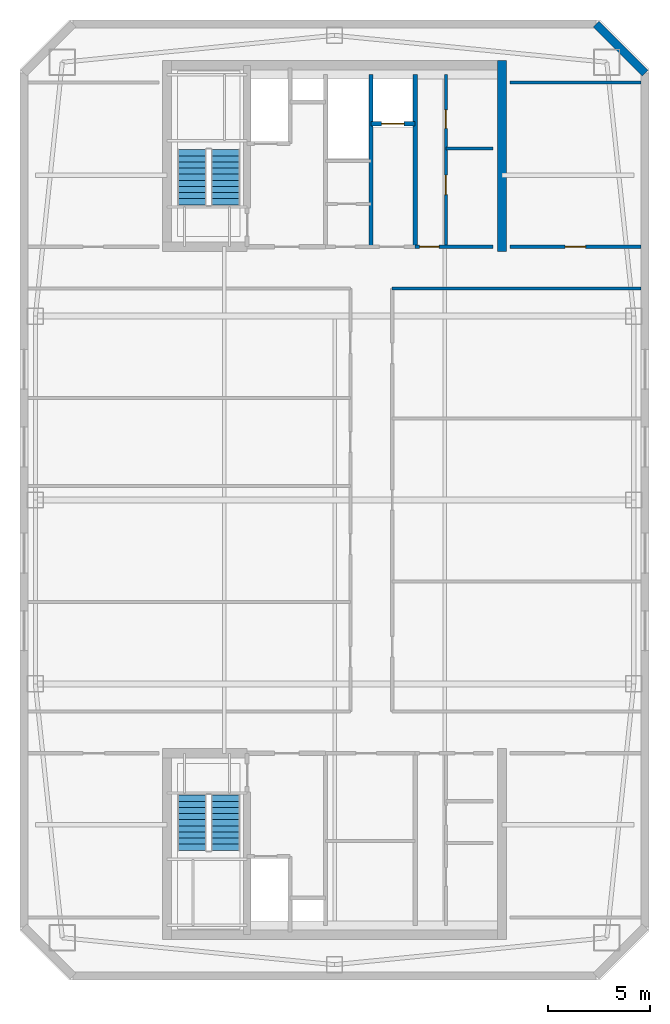
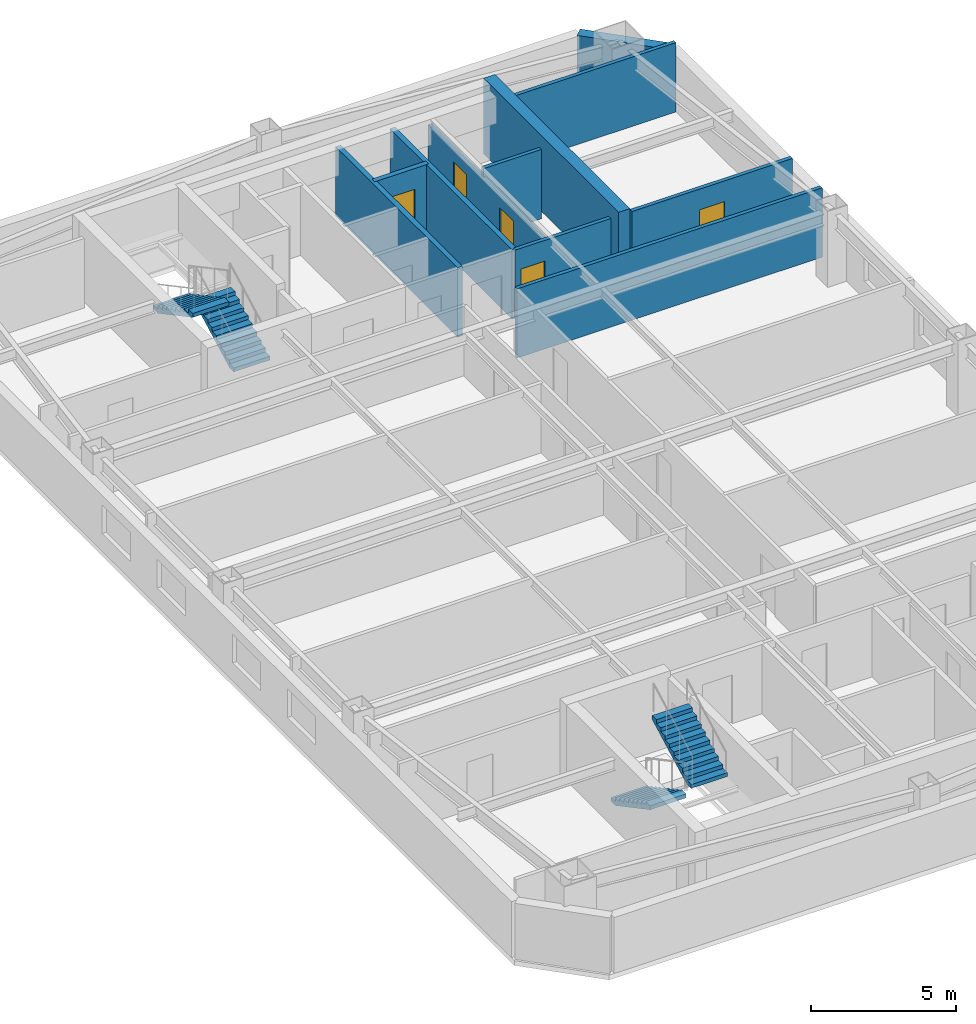
# One storey, part 4 of 5: 11 walls, 5 doors, 4 stair flights, 5 openings, 2 elements without a shape of their own.
"""IFC4 building model written with IfcOpenShell, lengths in metres."""

import ifcopenshell
import ifcopenshell.guid

model = None  # the IFC model being written
_history = None  # IfcOwnerHistory: only IFC2X3 demands one
_inside = {}  # id of a spatial element -> (the spatial element, [elements in it])
_under = {}  # id of a project, library or spatial element -> (it, [spatial elements below it])
_declared = {}  # id of a project -> (the project, [libraries it declares])
_typed = {}  # id of a type object -> (the type object, [elements of that type])
_made_of = {}  # id of a material, layer set ... -> (it, [elements and type objects made of it])


def new_model(schema):
    """Start an empty IFC model of exactly this schema.

    Asked for "IFC4X3", IfcOpenShell would pick the latest addendum, in which some entities
    have other attributes; the version numbers below select the first issue.
    IFC2X3 requires an IfcOwnerHistory on every rooted entity: one is made here for all.
    """
    global model, _history
    if schema == "IFC4X3":
        model = ifcopenshell.file(schema_version=(4, 3, 0, 0))
    else:
        model = ifcopenshell.file(schema=schema)
    _inside.clear()
    _under.clear()
    _declared.clear()
    _typed.clear()
    _made_of.clear()
    _history = None
    if model.schema == "IFC2X3":
        org = make("IfcOrganization", Name="unknown")
        user = make(
            "IfcPersonAndOrganization",
            ThePerson=make("IfcPerson", FamilyName="unknown"),
            TheOrganization=org,
        )
        app = make(
            "IfcApplication",
            ApplicationDeveloper=org,
            Version="unknown",
            ApplicationFullName="unknown",
            ApplicationIdentifier="unknown",
        )
        _history = make(
            "IfcOwnerHistory",
            OwningUser=user,
            OwningApplication=app,
            ChangeAction="ADDED",
            CreationDate=0,
        )
    return model


def make(cls, **values):
    """One entity of the class cls with the attributes given. An attribute that is None is left unset."""
    return model.create_entity(
        cls, **{name: value for name, value in values.items() if value is not None}
    )


def rooted(cls, **values):
    """An entity with a GlobalId (a new one), such as an element, a storey or a relation."""
    return make(cls, GlobalId=ifcopenshell.guid.new(), OwnerHistory=_history, **values)


def si_unit(unit_type, name, prefix=None):
    """IfcSIUnit, for example si_unit("LENGTHUNIT", "METRE", prefix="MILLI")."""
    return make("IfcSIUnit", UnitType=unit_type, Prefix=prefix, Name=name)


def assignment(units):
    """IfcUnitAssignment: the units of a project."""
    return None if units is None else make("IfcUnitAssignment", Units=units)


def point(xyz):
    """IfcCartesianPoint."""
    return None if xyz is None else make("IfcCartesianPoint", Coordinates=xyz)


def direction(xyz):
    """IfcDirection."""
    return None if xyz is None else make("IfcDirection", DirectionRatios=xyz)


def frame(location, z_axis=None, x_axis=None):
    """IfcAxis2Placement3D, a coordinate frame: its origin and axes. An axis left out is left unset."""
    return make(
        "IfcAxis2Placement3D",
        Location=point(location),
        Axis=direction(z_axis),
        RefDirection=direction(x_axis),
    )


def frame_2d(location, x_axis=None):
    """IfcAxis2Placement2D, a coordinate frame in the plane: its origin and x axis."""
    return make(
        "IfcAxis2Placement2D", Location=point(location), RefDirection=direction(x_axis)
    )


def origin():
    """The frame at (0, 0, 0) with its axes left unset."""
    return frame((0.0, 0.0, 0.0))


def place(relative_to, where):
    """IfcLocalPlacement: puts the frame where relative to a parent placement (None: the world)."""
    return make(
        "IfcLocalPlacement", PlacementRelTo=relative_to, RelativePlacement=where
    )


def context(
    kind, dimensions, precision=None, world=None, true_north=None, identifier=None
):
    """IfcGeometricRepresentationContext, for example the 3D "Model" context."""
    return make(
        "IfcGeometricRepresentationContext",
        ContextIdentifier=identifier,
        ContextType=kind,
        CoordinateSpaceDimension=dimensions,
        Precision=precision,
        WorldCoordinateSystem=world,
        TrueNorth=true_north,
    )


def subcontext(parent, identifier, kind, view, scale=None):
    """IfcGeometricRepresentationSubContext, for example "Body" below "Model"."""
    return make(
        "IfcGeometricRepresentationSubContext",
        ContextIdentifier=identifier,
        ContextType=kind,
        ParentContext=parent,
        TargetScale=scale,
        TargetView=view,
    )


def project(units=None, contexts=None):
    """IfcProject with its units and contexts."""
    return rooted(
        "IfcProject",
        Name="project",
        RepresentationContexts=contexts,
        UnitsInContext=assignment(units),
    )


def spatial(cls, under=None, at=None, **own):
    """A site, building, storey or space (cls), placed at a placement, below another one or the project."""
    s = rooted(cls, ObjectPlacement=at, **own)
    if under is not None:
        _under.setdefault(under.id(), (under, []))[1].append(s)
    return s


def polyline(points):
    """IfcPolyline through the points."""
    return make("IfcPolyline", Points=[point(p) for p in points])


def profile(cls, at=None, kind="AREA", **sizes):
    """A parametric profile (cls). Its sizes go by their IFC names, for example OverallWidth=200.0."""
    return make(cls, ProfileType=kind, Position=at, **sizes)


def rectangle(**sizes):
    """IfcRectangleProfileDef."""
    return profile("IfcRectangleProfileDef", **sizes)


def outline(outer, holes=None, kind="AREA"):
    """IfcArbitraryClosedProfileDef: a profile drawn as a closed curve; with holes, ...WithVoids."""
    if holes is None:
        return make("IfcArbitraryClosedProfileDef", ProfileType=kind, OuterCurve=outer)
    return make(
        "IfcArbitraryProfileDefWithVoids",
        ProfileType=kind,
        OuterCurve=outer,
        InnerCurves=holes,
    )


def extrude(swept, where, along, depth):
    """IfcExtrudedAreaSolid: the profile swept, set in the frame where, extruded along a direction by depth."""
    return make(
        "IfcExtrudedAreaSolid",
        SweptArea=swept,
        Position=where,
        ExtrudedDirection=direction(along),
        Depth=depth,
    )


def shape(context_of_items, identifier, shape_type, items):
    """IfcShapeRepresentation: the items that make up one representation, for example the "Body"."""
    return make(
        "IfcShapeRepresentation",
        ContextOfItems=context_of_items,
        RepresentationIdentifier=identifier,
        RepresentationType=shape_type,
        Items=items,
    )


def material(Name=None, Category=None):
    """IfcMaterial."""
    return make("IfcMaterial", Name=Name, Category=Category)


def layer(
    of_material, thickness, ventilated=None, Name=None, Category=None, Priority=None
):
    """IfcMaterialLayer: one layer of a wall or slab, of a material (None: an air gap)."""
    return make(
        "IfcMaterialLayer",
        Material=of_material,
        LayerThickness=thickness,
        IsVentilated=ventilated,
        Name=Name,
        Category=Category,
        Priority=Priority,
    )


def layer_set(layers, Name=None):
    """IfcMaterialLayerSet."""
    return make("IfcMaterialLayerSet", MaterialLayers=layers, LayerSetName=Name)


def made_of(thing, what):
    """Note that an element or type object is made of a material, layer set ...; save() writes the relation."""
    if what is not None:
        _made_of.setdefault(what.id(), (what, []))[1].append(thing)
    return thing


def type_object(cls, material=None, **own):
    """A type object (cls), such as IfcWallType, which elements share."""
    return made_of(rooted(cls, **own), material)


def element(
    cls,
    number,
    at=None,
    inside=None,
    cuts=None,
    type_object=None,
    material=None,
    context=None,
    identifier="Body",
    shape_type=None,
    held_by="IfcProductDefinitionShape",
    body=None,
    shapes=None,
    **own,
):
    """One element of the class cls, such as IfcWall. Its Tag is "e" and its number.

    at: its placement. inside: the storey or other place that contains it. cuts: it is an
    opening in that element (IfcRelVoidsElement). A single representation is given by context,
    identifier, shape_type and body (its items); several are given by shapes. held_by: the class
    of the entity that holds the representations. save() writes the other relations.
    """
    e = rooted(cls, Tag="e%d" % number, ObjectPlacement=at, **own)
    if body is not None:
        shapes = [shape(context, identifier, shape_type, body)]
    if shapes is not None:
        e.Representation = make(held_by, Representations=shapes)
    if inside is not None:
        _inside.setdefault(inside.id(), (inside, []))[1].append(e)
    if cuts is not None:
        rooted(
            "IfcRelVoidsElement", RelatingBuildingElement=cuts, RelatedOpeningElement=e
        )
    if type_object is not None:
        _typed.setdefault(type_object.id(), (type_object, []))[1].append(e)
    return made_of(e, material)


def fill(opening, filler):
    """IfcRelFillsElement: the door or window that sits in an opening."""
    return rooted(
        "IfcRelFillsElement",
        RelatingOpeningElement=opening,
        RelatedBuildingElement=filler,
    )


def aggregate(whole, parts):
    """IfcRelAggregates: a whole, such as a stair, and the parts it consists of."""
    return rooted("IfcRelAggregates", RelatingObject=whole, RelatedObjects=parts)


def save(model, path):
    """Write the relations noted so far, then the file.

    IfcRelAggregates (storeys below a building ...), IfcRelContainedInSpatialStructure (elements
    in a storey), IfcRelDefinesByType, IfcRelAssociatesMaterial and IfcRelDeclares: one each for
    every whole, place, type object, material and project.
    """
    for whole, parts in _under.values():
        aggregate(whole, parts)
    for where, things in _inside.values():
        rooted(
            "IfcRelContainedInSpatialStructure",
            RelatedElements=things,
            RelatingStructure=where,
        )
    for kind, things in _typed.values():
        rooted("IfcRelDefinesByType", RelatedObjects=things, RelatingType=kind)
    for what, things in _made_of.values():
        rooted("IfcRelAssociatesMaterial", RelatedObjects=things, RelatingMaterial=what)
    for by, libraries in _declared.values():
        rooted("IfcRelDeclares", RelatingContext=by, RelatedDefinitions=libraries)
    model.write(path)


model = new_model("IFC4")

# Units and contexts
model_context = context("Model", 3, precision=1e-05, world=origin(), true_north=direction((0.0, 1.0)))
body_context = subcontext(model_context, "Body", "Model", "MODEL_VIEW")
ifc_project = project(units=[si_unit("LENGTHUNIT", "METRE"), si_unit("AREAUNIT", "SQUARE_METRE"), si_unit("VOLUMEUNIT", "CUBIC_METRE"), si_unit("PLANEANGLEUNIT", "RADIAN"), si_unit("MASSUNIT", "GRAM", prefix="KILO")], contexts=[model_context])

# Site, building, storey
site_placement = place(None, origin())
site = spatial("IfcSite", under=ifc_project, at=site_placement, CompositionType="ELEMENT")
building_placement = place(site_placement, origin())
building = spatial("IfcBuilding", under=site, at=building_placement, Name="Qiaolan Cultural Towers", CompositionType="ELEMENT")
storey_placement = place(building_placement, frame((0.0, 0.0, 253.60009765625)))
storey = spatial("IfcBuildingStorey", under=building, at=storey_placement, Name="L69", CompositionType="ELEMENT", Elevation=253.60009765625)

# Walls
ifc_material_1 = material(Name="Concrete C50", Category="concrete")
ifc_layer_1 = layer(ifc_material_1, 0.449951171875)
ifc_layer_set_1 = layer_set([ifc_layer_1], Name="Concrete C50")
wall_type_1 = type_object("IfcWallType", Name="WL-CORE-450", PredefinedType="SHEAR", material=ifc_layer_set_1)
wall_1_placement = place(storey_placement, frame((38.199951171875, 46.175048828125, 0.0), z_axis=(0.0, 0.0, 1.0), x_axis=(0.0, 1.0, 0.0)))
element("IfcWall", 1, at=wall_1_placement, inside=storey, type_object=wall_type_1, Name="L69 T1-CN East Core Shear Wall", PredefinedType="SHEAR", context=body_context, shape_type="SweptSolid", body=[
    extrude(rectangle(XDim=9.329833984375, YDim=0.449951171875, at=frame_2d((4.6650390625, 0.0))), origin(), (0.0, 0.0, 1.0), 3.199951171875),
])
ifc_material_2 = material(Name="Precast Concrete C50 Honed Stone Pier", Category="masonry")
ifc_layer_2 = layer(ifc_material_2, 0.39990234375)
ifc_layer_set_2 = layer_set([ifc_layer_2], Name="Precast Concrete C50 Honed Stone Pier")
wall_type_2 = type_object("IfcWallType", Name="WL-EXT-PIER-400", PredefinedType="SOLIDWALL", material=ifc_layer_set_2)
wall_2_placement = place(storey_placement, frame((42.800048828125, 57.300048828125, 0.0), z_axis=(0.0, 0.0, 1.0), x_axis=(0.707070815327, -0.707142745217, 0.0)))
element("IfcWall", 2, at=wall_2_placement, inside=storey, type_object=wall_type_2, Name="L69 West Tower Precast Pier Facade Wall F4", PredefinedType="SOLIDWALL", context=body_context, shape_type="SweptSolid", body=[
    extrude(rectangle(XDim=3.39404296875, YDim=0.39990234375, at=frame_2d((1.697021484375, 0.0))), origin(), (0.0, 0.0, 1.0), 2.35986328125),
])
ifc_material_3 = material(Name="Concrete C35 Fire Wall", Category="concrete")
ifc_layer_3 = layer(ifc_material_3, 0.199951171875)
ifc_layer_set_3 = layer_set([ifc_layer_3], Name="Concrete C35 Fire Wall")
wall_type_3 = type_object("IfcWallType", Name="WL-FIRE-200", PredefinedType="PARTITIONING", material=ifc_layer_set_3)
for number, where, z_axis, x_axis, name in (
    (3, (33.949951171875, 46.39990234375, 0.0), (0.0, 0.0, 1.0), (0.0, 1.0, 0.0), "L69 T1-CN Lift Core East Wall"),
    (4, (31.780029296875, 46.39990234375, 0.0), (0.0, 0.0, 1.0), (0.0, 1.0, 0.0), "L69 T1-CN Sky Shuttle Lift Zone Wall"),
):
    element("IfcWall", number, at=place(storey_placement, frame(where, z_axis=z_axis, x_axis=x_axis)), inside=storey, type_object=wall_type_3, Name=name, PredefinedType="PARTITIONING", context=body_context, shape_type="SweptSolid", body=[
        extrude(rectangle(XDim=8.43017578125, YDim=0.199951171875, at=frame_2d((4.215087890625, 0.0))), origin(), (0.0, 0.0, 1.0), 2.9248046875),
    ])

# Wall, opening, door
wall_3_placement = place(storey_placement, frame((31.780029296875, 52.419921875, 0.0), z_axis=(0.0, 0.0, 1.0), x_axis=(1.0, 0.0, 0.0)))
wall_3 = element("IfcWall", 5, at=wall_3_placement, inside=storey, type_object=wall_type_3, Name="L69 T1-CN Shuttle Lift Shaft Front", PredefinedType="PARTITIONING", context=body_context, shape_type="SweptSolid", body=[
    extrude(rectangle(XDim=2.169921875, YDim=0.199951171875, at=frame_2d((1.0849609375, 0.0))), origin(), (0.0, 0.0, 1.0), 2.9248046875),
])
opening_1_placement = place(wall_3_placement, frame((0.52001953125, 0.0, 0.0)))
opening_1 = element("IfcOpeningElement", 6, at=opening_1_placement, cuts=wall_3, Name="Opening LD-01", PredefinedType="OPENING", context=body_context, shape_type="SweptSolid", body=[
    extrude(rectangle(XDim=1.10009765625, YDim=2.050048828125, at=frame_2d((0.550048828125, 1.02490234375))), frame((0.0, 0.10986328125, 0.0), z_axis=(0.0, -1.0, 0.0), x_axis=(1.0, 0.0, 0.0)), (0.0, 0.0, 1.0), 0.219970703125),
])
ifc_material_4 = material(Name="Brushed Stainless Steel S30408 Centre-Parting Lift Landing Door", Category="steel")
door_type_1 = type_object("IfcDoorType", Name="DR-LIFT-1100", OperationType="NOTDEFINED", PredefinedType="DOOR", material=ifc_material_4)
door_1_placement = place(opening_1_placement, origin())
door_1 = element("IfcDoor", 7, at=door_1_placement, inside=storey, type_object=door_type_1, Name="L69 Sky Shuttle Lift Landing Door", OperationType="DOUBLE_DOOR_SLIDING", OverallHeight=2.050048828125, OverallWidth=1.10009765625, PredefinedType="DOOR", context=body_context, shape_type="SweptSolid", body=[
    extrude(rectangle(XDim=1.10009765625, YDim=2.050048828125, at=frame_2d((0.550048828125, 1.02490234375))), frame((0.0, 0.02490234375, 0.0), z_axis=(0.0, -1.0, 0.0), x_axis=(1.0, 0.0, 0.0)), (0.0, 0.0, 1.0), 0.050048828125),
])
fill(opening_1, door_1)

ifc_material_5 = material(Name="Autoclaved Aerated Concrete Block B06", Category="concrete")
ifc_layer_4 = layer(ifc_material_5, 0.14990234375)
ifc_layer_set_4 = layer_set([ifc_layer_4], Name="Autoclaved Aerated Concrete Block B06")
wall_type_4 = type_object("IfcWallType", Name="WL-PART-150", PredefinedType="PARTITIONING", material=ifc_layer_set_4)
wall_4_placement = place(storey_placement, frame((33.949951171875, 46.39990234375, 0.0), z_axis=(0.0, 0.0, 1.0), x_axis=(1.0, 0.0, 0.0)))
wall_4 = element("IfcWall", 8, at=wall_4_placement, inside=storey, type_object=wall_type_4, Name="L69 T1-CN Sanitary Core Front Wall", PredefinedType="PARTITIONING", context=body_context, shape_type="SweptSolid", body=[
    extrude(rectangle(XDim=3.800048828125, YDim=0.14990234375, at=frame_2d((1.89990234375, 0.0))), origin(), (0.0, 0.0, 1.0), 2.9248046875),
])
opening_2_placement = place(wall_4_placement, frame((0.219970703125, 0.0, 0.0)))
opening_2 = element("IfcOpeningElement", 9, at=opening_2_placement, cuts=wall_4, Name="Opening ID-05", PredefinedType="OPENING", context=body_context, shape_type="SweptSolid", body=[
    extrude(rectangle(XDim=0.949951171875, YDim=2.050048828125, at=frame_2d((0.47509765625, 1.02490234375))), frame((0.0, 0.0849609375, 0.0), z_axis=(0.0, -1.0, 0.0), x_axis=(1.0, 0.0, 0.0)), (0.0, 0.0, 1.0), 0.169921875),
])
ifc_material_6 = material(Name="Fire-Rated Laminate Accessible Core Door", Category="timber")
door_type_2 = type_object("IfcDoorType", Name="DR-INT-950", OperationType="NOTDEFINED", PredefinedType="DOOR", material=ifc_material_6)
door_2_placement = place(opening_2_placement, origin())
door_2 = element("IfcDoor", 10, at=door_2_placement, inside=storey, type_object=door_type_2, Name="L69 Sanitary Lobby Door", OperationType="SINGLE_SWING_LEFT", OverallHeight=2.050048828125, OverallWidth=0.949951171875, PredefinedType="DOOR", context=body_context, shape_type="SweptSolid", body=[
    extrude(rectangle(XDim=0.949951171875, YDim=2.050048828125, at=frame_2d((0.47509765625, 1.02490234375))), frame((0.0, 0.02490234375, 0.0), z_axis=(0.0, -1.0, 0.0), x_axis=(1.0, 0.0, 0.0)), (0.0, 0.0, 1.0), 0.050048828125),
])
fill(opening_2, door_2)

# Wall, openings, doors
wall_5_placement = place(storey_placement, frame((35.449951171875, 46.39990234375, 0.0), z_axis=(0.0, 0.0, 1.0), x_axis=(0.0, 1.0, 0.0)))
wall_5 = element("IfcWall", 11, at=wall_5_placement, inside=storey, type_object=wall_type_4, Name="L69 T1-CN Washroom Split Wall", PredefinedType="PARTITIONING", context=body_context, shape_type="SweptSolid", body=[
    extrude(rectangle(XDim=8.43017578125, YDim=0.14990234375, at=frame_2d((4.215087890625, 0.0))), origin(), (0.0, 0.0, 1.0), 2.56494140625),
])
opening_3_placement = place(wall_5_placement, frame((2.550048828125, 0.0, 0.0)))
opening_3 = element("IfcOpeningElement", 12, at=opening_3_placement, cuts=wall_5, Name="Opening ID-05", PredefinedType="OPENING", context=body_context, shape_type="SweptSolid", body=[
    extrude(rectangle(XDim=0.949951171875, YDim=2.050048828125, at=frame_2d((0.47509765625, 1.02490234375))), frame((0.0, 0.0849609375, 0.0), z_axis=(0.0, -1.0, 0.0), x_axis=(1.0, 0.0, 0.0)), (0.0, 0.0, 1.0), 0.169921875),
])
opening_4_placement = place(wall_5_placement, frame((5.800048828125, 0.0, 0.0)))
opening_4 = element("IfcOpeningElement", 13, at=opening_4_placement, cuts=wall_5, Name="Opening ID-06", PredefinedType="OPENING", context=body_context, shape_type="SweptSolid", body=[
    extrude(rectangle(XDim=0.89990234375, YDim=2.050048828125, at=frame_2d((0.449951171875, 1.02490234375))), frame((0.0, 0.0849609375, 0.0), z_axis=(0.0, -1.0, 0.0), x_axis=(1.0, 0.0, 0.0)), (0.0, 0.0, 1.0), 0.169921875),
])
ifc_material_7 = material(Name="Fire-Rated Laminate Core Service Door", Category="timber")
door_type_3 = type_object("IfcDoorType", Name="DR-INT-900", OperationType="NOTDEFINED", PredefinedType="DOOR", material=ifc_material_7)
door_3_placement = place(opening_4_placement, origin())
door_3 = element("IfcDoor", 14, at=door_3_placement, inside=storey, type_object=door_type_3, Name="L69 First-Aid Room Door", OperationType="SINGLE_SWING_RIGHT", OverallHeight=2.050048828125, OverallWidth=0.89990234375, PredefinedType="DOOR", context=body_context, shape_type="SweptSolid", body=[
    extrude(rectangle(XDim=0.89990234375, YDim=2.050048828125, at=frame_2d((0.449951171875, 1.02490234375))), frame((0.0, 0.02490234375, 0.0), z_axis=(0.0, -1.0, 0.0), x_axis=(1.0, 0.0, 0.0)), (0.0, 0.0, 1.0), 0.050048828125),
])
fill(opening_4, door_3)
door_4_placement = place(opening_3_placement, origin())
door_4 = element("IfcDoor", 15, at=door_4_placement, inside=storey, type_object=door_type_2, Name="L69 Accessible Washroom Door", OperationType="SINGLE_SWING_LEFT", OverallHeight=2.050048828125, OverallWidth=0.949951171875, PredefinedType="DOOR", context=body_context, shape_type="SweptSolid", body=[
    extrude(rectangle(XDim=0.949951171875, YDim=2.050048828125, at=frame_2d((0.47509765625, 1.02490234375))), frame((0.0, 0.02490234375, 0.0), z_axis=(0.0, -1.0, 0.0), x_axis=(1.0, 0.0, 0.0)), (0.0, 0.0, 1.0), 0.050048828125),
])
fill(opening_3, door_4)

# Walls
wall_6_placement = place(storey_placement, frame((35.449951171875, 51.199951171875, 0.0), z_axis=(0.0, 0.0, 1.0), x_axis=(1.0, 0.0, 0.0)))
element("IfcWall", 16, at=wall_6_placement, inside=storey, type_object=wall_type_4, Name="L69 T1-CN First-Aid Wall", PredefinedType="PARTITIONING", context=body_context, shape_type="SweptSolid", body=[
    extrude(rectangle(XDim=2.300048828125, YDim=0.14990234375, at=frame_2d((1.14990234375, 0.0))), origin(), (0.0, 0.0, 1.0), 2.9248046875),
])
wall_7_placement = place(storey_placement, frame((38.60009765625, 54.449951171875, 0.0), z_axis=(0.0, 0.0, 1.0), x_axis=(1.0, 0.0, 0.0)))
element("IfcWall", 17, at=wall_7_placement, inside=storey, type_object=wall_type_4, Name="L69 T1 Flank Wall FLK-NE", PredefinedType="PARTITIONING", context=body_context, shape_type="SweptSolid", body=[
    extrude(rectangle(XDim=6.39990234375, YDim=0.14990234375, at=frame_2d((3.199951171875, 0.0))), origin(), (0.0, 0.0, 1.0), 2.9248046875),
])

# Wall, opening, door
wall_8_placement = place(storey_placement, frame((38.60009765625, 46.39990234375, 0.0), z_axis=(0.0, 0.0, 1.0), x_axis=(1.0, 0.0, 0.0)))
wall_8 = element("IfcWall", 18, at=wall_8_placement, inside=storey, type_object=wall_type_4, Name="L69 T1 Flank Front FLK-NE", PredefinedType="PARTITIONING", context=body_context, shape_type="SweptSolid", body=[
    extrude(rectangle(XDim=6.39990234375, YDim=0.14990234375, at=frame_2d((3.199951171875, 0.0))), origin(), (0.0, 0.0, 1.0), 2.9248046875),
])
opening_5_placement = place(wall_8_placement, frame((2.68798828125, 0.0, 0.0)))
opening_5 = element("IfcOpeningElement", 19, at=opening_5_placement, cuts=wall_8, Name="Opening ID-04", PredefinedType="OPENING", context=body_context, shape_type="SweptSolid", body=[
    extrude(rectangle(XDim=1.0, YDim=2.050048828125, at=frame_2d((0.5, 1.02490234375))), frame((0.0, 0.0849609375, 0.0), z_axis=(0.0, -1.0, 0.0), x_axis=(1.0, 0.0, 0.0)), (0.0, 0.0, 1.0), 0.169921875),
])
ifc_material_8 = material(Name="Oak Veneer Acoustic Office Door", Category="timber")
door_type_4 = type_object("IfcDoorType", Name="DR-INT-1000", OperationType="NOTDEFINED", PredefinedType="DOOR", material=ifc_material_8)
door_5_placement = place(opening_5_placement, origin())
door_5 = element("IfcDoor", 20, at=door_5_placement, inside=storey, type_object=door_type_4, Name="L69 T1 Corner Studio Door", OperationType="SINGLE_SWING_LEFT", OverallHeight=2.050048828125, OverallWidth=1.0, PredefinedType="DOOR", context=body_context, shape_type="SweptSolid", body=[
    extrude(rectangle(XDim=1.0, YDim=2.050048828125, at=frame_2d((0.5, 1.02490234375))), frame((0.0, 0.02490234375, 0.0), z_axis=(0.0, -1.0, 0.0), x_axis=(1.0, 0.0, 0.0)), (0.0, 0.0, 1.0), 0.050048828125),
])
fill(opening_5, door_5)

# Wall
wall_9_placement = place(storey_placement, frame((32.824951171875, 44.35009765625, 0.0), z_axis=(0.0, 0.0, 1.0), x_axis=(1.0, 0.0, 0.0)))
element("IfcWall", 21, at=wall_9_placement, inside=storey, type_object=wall_type_4, Name="L69 T1 North Corridor Right Wall", PredefinedType="PARTITIONING", context=body_context, shape_type="SweptSolid", body=[
    extrude(rectangle(XDim=12.175048828125, YDim=0.14990234375, at=frame_2d((6.08740234375, 0.0))), origin(), (0.0, 0.0, 1.0), 2.9248046875),
])

# Stair, stair flights
ifc_material_9 = material(Name="Concrete C45", Category="concrete")
stair_type = type_object("IfcStairType", Name="STR-CORE-1500", PredefinedType="HALF_TURN_STAIR", material=ifc_material_9)
stair_1_placement = place(storey_placement, origin())
stair_1 = element("IfcStair", 22, at=stair_1_placement, inside=storey, type_object=stair_type, Name="L69 Smokeproof Exit Stair ST-W1", PredefinedType="HALF_TURN_STAIR")
ifc_material_10 = material(Name="Concrete C45", Category="concrete")
stair_flight_type = type_object("IfcStairFlightType", Name="STR-CORE-1500-FL", PredefinedType="STRAIGHT", material=ifc_material_10)
stair_flight_1_placement = place(storey_placement, frame((23.02001953125, 19.550048828125, 0.0), z_axis=(0.0, 0.0, 1.0), x_axis=(0.0, -1.0, 0.0)))
stair_flight_1 = element("IfcStairFlight", 23, at=stair_flight_1_placement, type_object=stair_flight_type, Name="ST-W1 flight 1", NumberOfRisers=10, NumberOfTreads=9, PredefinedType="STRAIGHT", RiserHeight=0.16, TreadLength=0.3, context=body_context, shape_type="SweptSolid", body=[
    extrude(outline(polyline([(0.0, 0.0), (0.0, 0.159912109375), (0.300048828125, 0.159912109375), (0.300048828125, 0.320068359375), (0.60009765625, 0.320068359375), (0.60009765625, 0.47998046875), (0.89990234375, 0.47998046875), (0.89990234375, 0.639892578125), (1.199951171875, 0.639892578125), (1.199951171875, 0.800048828125), (1.5, 0.800048828125), (1.5, 0.9599609375), (1.800048828125, 0.9599609375), (1.800048828125, 1.1201171875), (2.10009765625, 1.1201171875), (2.10009765625, 1.280029296875), (2.39990234375, 1.280029296875), (2.39990234375, 1.43994140625), (2.699951171875, 1.43994140625), (2.699951171875, 1.60009765625), (2.699951171875, 1.27001953125), (0.318603515625, 0.0), (0.0, 0.0)])), frame((0.0, 0.719970703125, 0.0), z_axis=(0.0, -1.0, 0.0), x_axis=(1.0, 0.0, 0.0)), (0.0, 0.0, 1.0), 1.43994140625),
])
stair_flight_2_placement = place(storey_placement, frame((24.659912109375, 16.85009765625, 1.599853515625), z_axis=(0.0, 0.0, 1.0), x_axis=(0.0, 1.0, 0.0)))
stair_flight_2 = element("IfcStairFlight", 24, at=stair_flight_2_placement, type_object=stair_flight_type, Name="ST-W1 flight 2", NumberOfRisers=10, NumberOfTreads=9, PredefinedType="STRAIGHT", RiserHeight=0.16, TreadLength=0.3, context=body_context, shape_type="SweptSolid", body=[
    extrude(outline(polyline([(0.0, 0.0), (0.0, 0.159912109375), (0.300048828125, 0.159912109375), (0.300048828125, 0.320068359375), (0.60009765625, 0.320068359375), (0.60009765625, 0.47998046875), (0.89990234375, 0.47998046875), (0.89990234375, 0.639892578125), (1.199951171875, 0.639892578125), (1.199951171875, 0.800048828125), (1.5, 0.800048828125), (1.5, 0.9599609375), (1.800048828125, 0.9599609375), (1.800048828125, 1.1201171875), (2.10009765625, 1.1201171875), (2.10009765625, 1.280029296875), (2.39990234375, 1.280029296875), (2.39990234375, 1.43994140625), (2.699951171875, 1.43994140625), (2.699951171875, 1.60009765625), (2.699951171875, 1.27001953125), (0.318603515625, 0.0), (0.0, 0.0)])), frame((0.0, 0.719970703125, 0.0), z_axis=(0.0, -1.0, 0.0), x_axis=(1.0, 0.0, 0.0)), (0.0, 0.0, 1.0), 1.43994140625),
])
aggregate(stair_1, [stair_flight_1, stair_flight_2])

stair_2_placement = place(storey_placement, origin())
stair_2 = element("IfcStair", 25, at=stair_2_placement, inside=storey, type_object=stair_type, Name="L69 Smokeproof Exit Stair ST-W2", PredefinedType="HALF_TURN_STAIR")
stair_flight_3_placement = place(storey_placement, frame((24.659912109375, 48.449951171875, 0.0), z_axis=(0.0, 0.0, 1.0), x_axis=(0.0, 1.0, 0.0)))
stair_flight_3 = element("IfcStairFlight", 26, at=stair_flight_3_placement, type_object=stair_flight_type, Name="ST-W2 flight 1", NumberOfRisers=10, NumberOfTreads=9, PredefinedType="STRAIGHT", RiserHeight=0.16, TreadLength=0.3, context=body_context, shape_type="SweptSolid", body=[
    extrude(outline(polyline([(0.0, 0.0), (0.0, 0.159912109375), (0.300048828125, 0.159912109375), (0.300048828125, 0.320068359375), (0.60009765625, 0.320068359375), (0.60009765625, 0.47998046875), (0.89990234375, 0.47998046875), (0.89990234375, 0.639892578125), (1.199951171875, 0.639892578125), (1.199951171875, 0.800048828125), (1.5, 0.800048828125), (1.5, 0.9599609375), (1.800048828125, 0.9599609375), (1.800048828125, 1.1201171875), (2.10009765625, 1.1201171875), (2.10009765625, 1.280029296875), (2.39990234375, 1.280029296875), (2.39990234375, 1.43994140625), (2.699951171875, 1.43994140625), (2.699951171875, 1.60009765625), (2.699951171875, 1.27001953125), (0.318603515625, 0.0), (0.0, 0.0)])), frame((0.0, 0.719970703125, 0.0), z_axis=(0.0, -1.0, 0.0), x_axis=(1.0, 0.0, 0.0)), (0.0, 0.0, 1.0), 1.43994140625),
])
stair_flight_4_placement = place(storey_placement, frame((23.02001953125, 51.14990234375, 1.599853515625), z_axis=(0.0, 0.0, 1.0), x_axis=(0.0, -1.0, 0.0)))
stair_flight_4 = element("IfcStairFlight", 27, at=stair_flight_4_placement, type_object=stair_flight_type, Name="ST-W2 flight 2", NumberOfRisers=10, NumberOfTreads=9, PredefinedType="STRAIGHT", RiserHeight=0.16, TreadLength=0.3, context=body_context, shape_type="SweptSolid", body=[
    extrude(outline(polyline([(0.0, 0.0), (0.0, 0.159912109375), (0.300048828125, 0.159912109375), (0.300048828125, 0.320068359375), (0.60009765625, 0.320068359375), (0.60009765625, 0.47998046875), (0.89990234375, 0.47998046875), (0.89990234375, 0.639892578125), (1.199951171875, 0.639892578125), (1.199951171875, 0.800048828125), (1.5, 0.800048828125), (1.5, 0.9599609375), (1.800048828125, 0.9599609375), (1.800048828125, 1.1201171875), (2.10009765625, 1.1201171875), (2.10009765625, 1.280029296875), (2.39990234375, 1.280029296875), (2.39990234375, 1.43994140625), (2.699951171875, 1.43994140625), (2.699951171875, 1.60009765625), (2.699951171875, 1.27001953125), (0.318603515625, 0.0), (0.0, 0.0)])), frame((0.0, 0.719970703125, 0.0), z_axis=(0.0, -1.0, 0.0), x_axis=(1.0, 0.0, 0.0)), (0.0, 0.0, 1.0), 1.43994140625),
])
aggregate(stair_2, [stair_flight_3, stair_flight_4])

save(model, "model.ifc")
